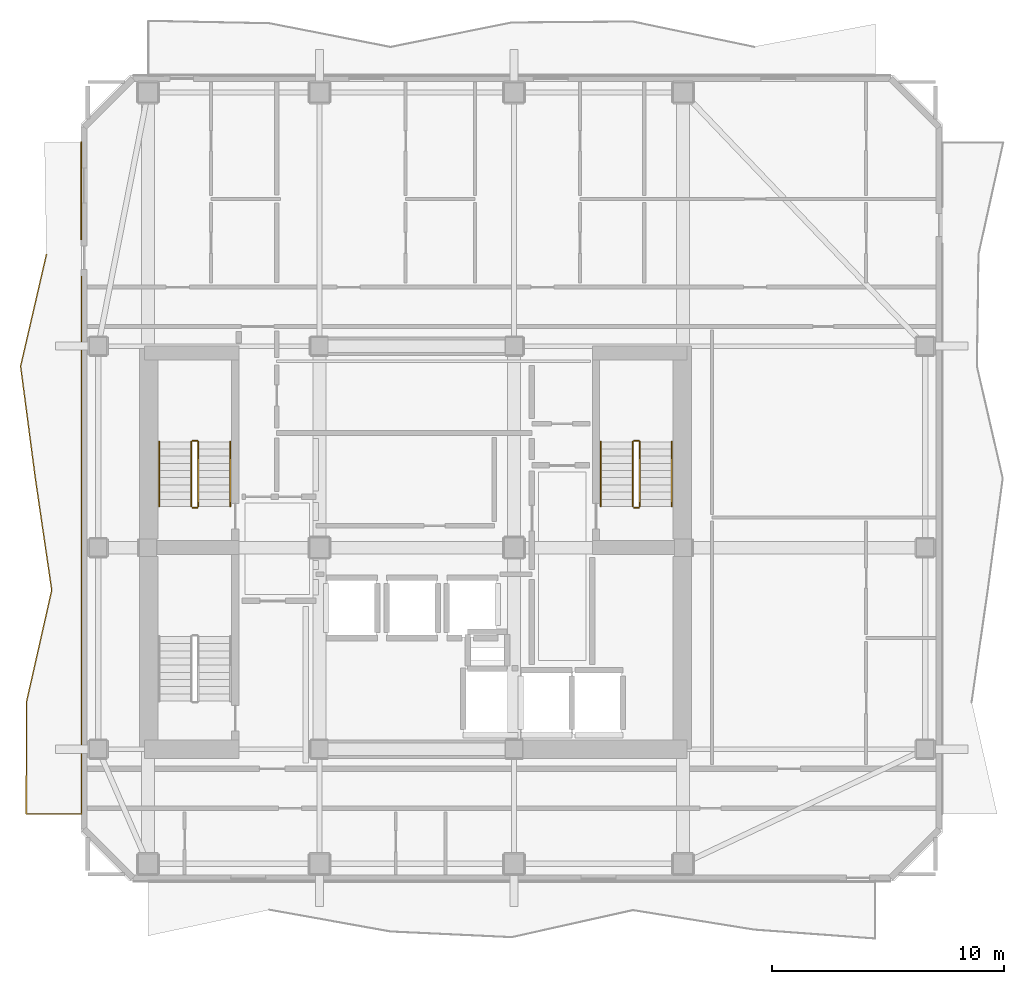
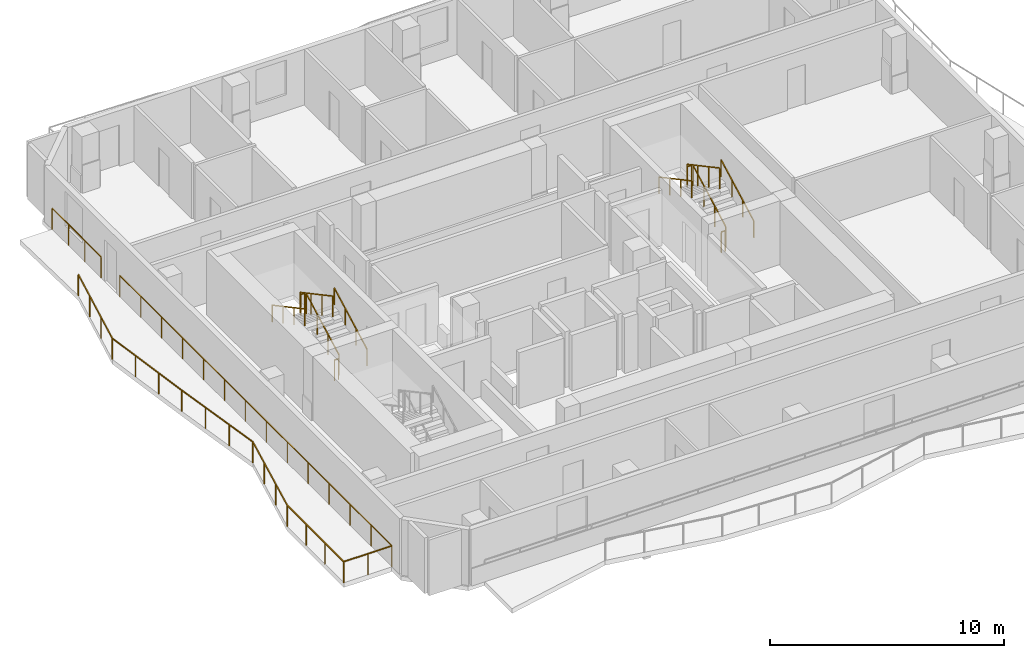
# One storey, part 8 of 9: 14 railings.
"""IFC4 building model written with IfcOpenShell, lengths in metres."""

from ifc_helpers import new_model, si_unit, direction, frame, origin, origin_2d, place, context, subcontext, project, spatial, rectangle, extrude, material, type_object, element, save


model = new_model("IFC4")

# Units and contexts
model_context = context("Model", 3, precision=1e-05, world=origin(), true_north=direction((0.0, 1.0)))
body_context = subcontext(model_context, "Body", "Model", "MODEL_VIEW")
ifc_project = project(units=[si_unit("LENGTHUNIT", "METRE"), si_unit("AREAUNIT", "SQUARE_METRE"), si_unit("VOLUMEUNIT", "CUBIC_METRE"), si_unit("PLANEANGLEUNIT", "RADIAN"), si_unit("MASSUNIT", "GRAM", prefix="KILO")], contexts=[model_context])

# Site, building, storey
site_placement = place(None, origin())
site = spatial("IfcSite", under=ifc_project, at=site_placement, CompositionType="ELEMENT")
building_placement = place(site_placement, origin())
building = spatial("IfcBuilding", under=site, at=building_placement, Name="Solanera Arch Residences", CompositionType="ELEMENT")
storey_placement = place(building_placement, frame((0.0, 0.0, 247.8798828125)))
storey = spatial("IfcBuildingStorey", under=building, at=storey_placement, Name="L72", CompositionType="ELEMENT", Elevation=247.8798828125)

# Railings
ifc_material_1 = material(Name="Steel S355 (ASTM A992 / A572 Grade 50)", Category="steel")
railing_type_1 = type_object("IfcRailingType", Name="Balustrade Railing BL-1100", PredefinedType="BALUSTRADE", material=ifc_material_1)
railing_1_placement = place(storey_placement, frame((9.013916015625, 43.366943359375, 0.0)))
element("IfcRailing", 1, at=railing_1_placement, inside=storey, type_object=railing_type_1, Name="L72 W Balcony Balustrade 1", PredefinedType="BALUSTRADE", context=body_context, shape_type="SweptSolid", body=[
    extrude(rectangle(XDim=0.048095703125, YDim=0.048095703125, at=origin_2d()), frame((0.0, 0.0, 1.09619140625), z_axis=(-0.225129039218, -0.974328956616, 0.0), x_axis=(0.974328956616, -0.225129039218, 0.0)), (0.0, 0.0, 1.0), 4.96142578125),
    extrude(rectangle(XDim=0.048095703125, YDim=0.048095703125, at=origin_2d()), frame((-1.116943359375, -4.833984375, 1.09619140625), z_axis=(0.130270536519, -0.991478485553, 0.0), x_axis=(0.991478485553, 0.130270536519, 0.0)), (0.0, 0.0, 1.0), 4.87451171875),
    extrude(rectangle(XDim=0.048095703125, YDim=0.048095703125, at=origin_2d()), frame((-0.48193359375, -9.6669921875, 1.09619140625), z_axis=(0.145142891701, -0.989410703898, 0.0), x_axis=(0.989410703898, 0.145142891701, 0.0)), (0.0, 0.0, 1.0), 4.884765625),
    extrude(rectangle(XDim=0.048095703125, YDim=0.048095703125, at=origin_2d()), frame((0.22705078125, -14.5, 1.09619140625), z_axis=(-0.22016863131, -0.975461825899, 0.0), x_axis=(0.975461825899, -0.22016863131, 0.0)), (0.0, 0.0, 1.0), 4.95556640625),
    extrude(rectangle(XDim=0.048095703125, YDim=0.048095703125, at=origin_2d()), frame((-0.864013671875, -19.333984375, 1.09619140625), z_axis=(-0.001414425742, -0.999998999699, 0.0), x_axis=(0.999998999699, -0.001414425742, 0.0)), (0.0, 0.0, 1.0), 4.8330078125),
    extrude(rectangle(XDim=0.048095703125, YDim=0.048095703125, at=origin_2d()), frame((-0.870849609375, -24.1669921875, 1.09619140625), z_axis=(1.0, 0.0, 0.0), x_axis=(0.0, 1.0, 0.0)), (0.0, 0.0, 1.0), 2.376953125),
    extrude(rectangle(XDim=0.048095703125, YDim=0.048095703125, at=origin_2d()), frame((1.506103515625, -24.1669921875, 1.09619140625), z_axis=(0.0, 1.0, 0.0), x_axis=(-1.0, 0.0, 0.0)), (0.0, 0.0, 1.0), 23.216064453125),
    extrude(rectangle(XDim=0.0419921875, YDim=0.0419921875, at=origin_2d()), origin(), (0.0, 0.0, 1.0), 1.072021484375),
    extrude(rectangle(XDim=0.0419921875, YDim=0.0419921875, at=origin_2d()), frame((-0.372314453125, -1.611328125, 0.0)), (0.0, 0.0, 1.0), 1.072021484375),
    extrude(rectangle(XDim=0.0419921875, YDim=0.0419921875, at=origin_2d()), frame((-0.74462890625, -3.22265625, 0.0)), (0.0, 0.0, 1.0), 1.072021484375),
    extrude(rectangle(XDim=0.0419921875, YDim=0.0419921875, at=origin_2d()), frame((-1.116943359375, -4.833984375, 0.0)), (0.0, 0.0, 1.0), 1.072021484375),
    extrude(rectangle(XDim=0.0419921875, YDim=0.0419921875, at=origin_2d()), frame((-0.9052734375, -6.445068359375, 0.0)), (0.0, 0.0, 1.0), 1.072021484375),
    extrude(rectangle(XDim=0.0419921875, YDim=0.0419921875, at=origin_2d()), frame((-0.693603515625, -8.055908203125, 0.0)), (0.0, 0.0, 1.0), 1.072021484375),
    extrude(rectangle(XDim=0.0419921875, YDim=0.0419921875, at=origin_2d()), frame((-0.48193359375, -9.6669921875, 0.0)), (0.0, 0.0, 1.0), 1.072021484375),
    extrude(rectangle(XDim=0.0419921875, YDim=0.0419921875, at=origin_2d()), frame((-0.24560546875, -11.278076171875, 0.0)), (0.0, 0.0, 1.0), 1.072021484375),
    extrude(rectangle(XDim=0.0419921875, YDim=0.0419921875, at=origin_2d()), frame((-0.00927734375, -12.888916015625, 0.0)), (0.0, 0.0, 1.0), 1.072021484375),
    extrude(rectangle(XDim=0.0419921875, YDim=0.0419921875, at=origin_2d()), frame((0.22705078125, -14.5, 0.0)), (0.0, 0.0, 1.0), 1.072021484375),
    extrude(rectangle(XDim=0.0419921875, YDim=0.0419921875, at=origin_2d()), frame((-0.13671875, -16.111328125, 0.0)), (0.0, 0.0, 1.0), 1.072021484375),
    extrude(rectangle(XDim=0.0419921875, YDim=0.0419921875, at=origin_2d()), frame((-0.500244140625, -17.72265625, 0.0)), (0.0, 0.0, 1.0), 1.072021484375),
    extrude(rectangle(XDim=0.0419921875, YDim=0.0419921875, at=origin_2d()), frame((-0.864013671875, -19.333984375, 0.0)), (0.0, 0.0, 1.0), 1.072021484375),
    extrude(rectangle(XDim=0.0419921875, YDim=0.0419921875, at=origin_2d()), frame((-0.8662109375, -20.945068359375, 0.0)), (0.0, 0.0, 1.0), 1.072021484375),
    extrude(rectangle(XDim=0.0419921875, YDim=0.0419921875, at=origin_2d()), frame((-0.86865234375, -22.555908203125, 0.0)), (0.0, 0.0, 1.0), 1.072021484375),
    extrude(rectangle(XDim=0.0419921875, YDim=0.0419921875, at=origin_2d()), frame((-0.870849609375, -24.1669921875, 0.0)), (0.0, 0.0, 1.0), 1.072021484375),
    extrude(rectangle(XDim=0.0419921875, YDim=0.0419921875, at=origin_2d()), frame((0.317626953125, -24.1669921875, 0.0)), (0.0, 0.0, 1.0), 1.072021484375),
    extrude(rectangle(XDim=0.0419921875, YDim=0.0419921875, at=origin_2d()), frame((1.506103515625, -24.1669921875, 0.0)), (0.0, 0.0, 1.0), 1.072021484375),
    extrude(rectangle(XDim=0.0419921875, YDim=0.0419921875, at=origin_2d()), frame((1.506103515625, -22.381103515625, 0.0)), (0.0, 0.0, 1.0), 1.072021484375),
    extrude(rectangle(XDim=0.0419921875, YDim=0.0419921875, at=origin_2d()), frame((1.506103515625, -20.59521484375, 0.0)), (0.0, 0.0, 1.0), 1.072021484375),
    extrude(rectangle(XDim=0.0419921875, YDim=0.0419921875, at=origin_2d()), frame((1.506103515625, -18.809326171875, 0.0)), (0.0, 0.0, 1.0), 1.072021484375),
    extrude(rectangle(XDim=0.0419921875, YDim=0.0419921875, at=origin_2d()), frame((1.506103515625, -17.023681640625, 0.0)), (0.0, 0.0, 1.0), 1.072021484375),
    extrude(rectangle(XDim=0.0419921875, YDim=0.0419921875, at=origin_2d()), frame((1.506103515625, -15.23779296875, 0.0)), (0.0, 0.0, 1.0), 1.072021484375),
    extrude(rectangle(XDim=0.0419921875, YDim=0.0419921875, at=origin_2d()), frame((1.506103515625, -13.451904296875, 0.0)), (0.0, 0.0, 1.0), 1.072021484375),
    extrude(rectangle(XDim=0.0419921875, YDim=0.0419921875, at=origin_2d()), frame((1.506103515625, -11.666015625, 0.0)), (0.0, 0.0, 1.0), 1.072021484375),
    extrude(rectangle(XDim=0.0419921875, YDim=0.0419921875, at=origin_2d()), frame((1.506103515625, -9.880126953125, 0.0)), (0.0, 0.0, 1.0), 1.072021484375),
    extrude(rectangle(XDim=0.0419921875, YDim=0.0419921875, at=origin_2d()), frame((1.506103515625, -8.09423828125, 0.0)), (0.0, 0.0, 1.0), 1.072021484375),
    extrude(rectangle(XDim=0.0419921875, YDim=0.0419921875, at=origin_2d()), frame((1.506103515625, -6.30859375, 0.0)), (0.0, 0.0, 1.0), 1.072021484375),
    extrude(rectangle(XDim=0.0419921875, YDim=0.0419921875, at=origin_2d()), frame((1.506103515625, -4.522705078125, 0.0)), (0.0, 0.0, 1.0), 1.072021484375),
    extrude(rectangle(XDim=0.0419921875, YDim=0.0419921875, at=origin_2d()), frame((1.506103515625, -2.73681640625, 0.0)), (0.0, 0.0, 1.0), 1.072021484375),
    extrude(rectangle(XDim=0.0419921875, YDim=0.0419921875, at=origin_2d()), frame((1.506103515625, -0.950927734375, 0.0)), (0.0, 0.0, 1.0), 1.072021484375),
])
railing_2_placement = place(storey_placement, frame((10.52001953125, 44.01611328125, 0.0)))
element("IfcRailing", 2, at=railing_2_placement, inside=storey, type_object=railing_type_1, Name="L72 W Balcony Balustrade 2", PredefinedType="BALUSTRADE", context=body_context, shape_type="SweptSolid", body=[
    extrude(rectangle(XDim=0.048095703125, YDim=0.048095703125, at=origin_2d()), frame((0.0, 0.0, 1.09619140625), z_axis=(0.0, 1.0, 0.0), x_axis=(-1.0, 0.0, 0.0)), (0.0, 0.0, 1.0), 4.183837890625),
    extrude(rectangle(XDim=0.0419921875, YDim=0.0419921875, at=origin_2d()), origin(), (0.0, 0.0, 1.0), 1.072021484375),
    extrude(rectangle(XDim=0.0419921875, YDim=0.0419921875, at=origin_2d()), frame((0.0, 1.39453125, 0.0)), (0.0, 0.0, 1.0), 1.072021484375),
    extrude(rectangle(XDim=0.0419921875, YDim=0.0419921875, at=origin_2d()), frame((0.0, 2.789306640625, 0.0)), (0.0, 0.0, 1.0), 1.072021484375),
    extrude(rectangle(XDim=0.0419921875, YDim=0.0419921875, at=origin_2d()), frame((0.0, 4.183837890625, 0.0)), (0.0, 0.0, 1.0), 1.072021484375),
])
ifc_material_2 = material(Name="Steel S355 (ASTM A992 / A572 Grade 50)", Category="steel")
railing_type_2 = type_object("IfcRailingType", Name="Stair Guardrail GR-1100", PredefinedType="GUARDRAIL", material=ifc_material_2)
railing_3_placement = place(storey_placement, frame((15.570068359375, 32.47998046875, 0.151123046875)))
element("IfcRailing", 3, at=railing_3_placement, inside=storey, type_object=railing_type_2, Name="L72 ST-T1 stair guard 1", PredefinedType="GUARDRAIL", context=body_context, shape_type="SweptSolid", body=[
    extrude(rectangle(XDim=0.048095703125, YDim=0.048095703125, at=origin_2d()), frame((0.0, 0.0, 1.076171875), z_axis=(0.0, 0.881580869306, 0.472033018838), x_axis=(-1.0, 0.0, 0.0)), (0.0, 0.0, 1.0), 3.164794921875),
    extrude(rectangle(XDim=0.0419921875, YDim=0.0419921875, at=origin_2d()), origin(), (0.0, 0.0, 1.0), 1.052001953125),
    extrude(rectangle(XDim=0.0419921875, YDim=0.0419921875, at=origin_2d()), frame((0.0, 0.929931640625, 0.498046875)), (0.0, 0.0, 1.0), 1.052001953125),
    extrude(rectangle(XDim=0.0419921875, YDim=0.0419921875, at=origin_2d()), frame((0.0, 1.860107421875, 0.995849609375)), (0.0, 0.0, 1.0), 1.052001953125),
    extrude(rectangle(XDim=0.0419921875, YDim=0.0419921875, at=origin_2d()), frame((0.0, 2.7900390625, 1.493896484375)), (0.0, 0.0, 1.0), 1.052001953125),
])
railing_4_placement = place(storey_placement, frame((15.52001953125, 35.320068359375, 1.64501953125)))
element("IfcRailing", 4, at=railing_4_placement, inside=storey, type_object=railing_type_2, Name="L72 ST-T1 stair guard 2", PredefinedType="GUARDRAIL", context=body_context, shape_type="SweptSolid", body=[
    extrude(rectangle(XDim=0.048095703125, YDim=0.048095703125, at=origin_2d()), frame((0.0, 0.0, 1.076171875), z_axis=(-1.0, 0.0, 0.0), x_axis=(0.0, -1.0, 0.0)), (0.0, 0.0, 1.0), 0.199951171875),
    extrude(rectangle(XDim=0.0419921875, YDim=0.0419921875, at=origin_2d()), origin(), (0.0, 0.0, 1.0), 1.052001953125),
    extrude(rectangle(XDim=0.0419921875, YDim=0.0419921875, at=origin_2d()), frame((-0.199951171875, 0.0, 0.0)), (0.0, 0.0, 1.0), 1.052001953125),
])
railing_5_placement = place(storey_placement, frame((15.27001953125, 35.27001953125, 1.81103515625)))
element("IfcRailing", 5, at=railing_5_placement, inside=storey, type_object=railing_type_2, Name="L72 ST-T1 stair guard 3", PredefinedType="GUARDRAIL", context=body_context, shape_type="SweptSolid", body=[
    extrude(rectangle(XDim=0.048095703125, YDim=0.048095703125, at=origin_2d()), frame((0.0, 0.0, 1.076171875), z_axis=(0.0, -0.881548766853, 0.472092969298), x_axis=(1.0, 0.0, 0.0)), (0.0, 0.0, 1.0), 3.1650390625),
    extrude(rectangle(XDim=0.0419921875, YDim=0.0419921875, at=origin_2d()), origin(), (0.0, 0.0, 1.0), 1.052001953125),
    extrude(rectangle(XDim=0.0419921875, YDim=0.0419921875, at=origin_2d()), frame((0.0, -0.929931640625, 0.498046875)), (0.0, 0.0, 1.0), 1.052001953125),
    extrude(rectangle(XDim=0.0419921875, YDim=0.0419921875, at=origin_2d()), frame((0.0, -1.860107421875, 0.99609375)), (0.0, 0.0, 1.0), 1.052001953125),
    extrude(rectangle(XDim=0.0419921875, YDim=0.0419921875, at=origin_2d()), frame((0.0, -2.7900390625, 1.494140625)), (0.0, 0.0, 1.0), 1.052001953125),
])
railing_6_placement = place(storey_placement, frame((15.52001953125, 32.429931640625, -0.014892578125)))
element("IfcRailing", 6, at=railing_6_placement, inside=storey, type_object=railing_type_2, Name="L72 ST-T1 stair guard 4", PredefinedType="GUARDRAIL", context=body_context, shape_type="SweptSolid", body=[
    extrude(rectangle(XDim=0.048095703125, YDim=0.048095703125, at=origin_2d()), frame((0.0, 0.0, 1.076171875), z_axis=(-1.0, 0.0, 0.0), x_axis=(0.0, -1.0, 0.0)), (0.0, 0.0, 1.0), 0.199951171875),
    extrude(rectangle(XDim=0.0419921875, YDim=0.0419921875, at=origin_2d()), origin(), (0.0, 0.0, 1.0), 1.052001953125),
    extrude(rectangle(XDim=0.0419921875, YDim=0.0419921875, at=origin_2d()), frame((-0.199951171875, 0.0, 0.0)), (0.0, 0.0, 1.0), 1.052001953125),
])
railing_7_placement = place(storey_placement, frame((34.6298828125, 32.47998046875, 0.151123046875)))
element("IfcRailing", 7, at=railing_7_placement, inside=storey, type_object=railing_type_2, Name="L72 ST-T2 stair guard 1", PredefinedType="GUARDRAIL", context=body_context, shape_type="SweptSolid", body=[
    extrude(rectangle(XDim=0.048095703125, YDim=0.048095703125, at=origin_2d()), frame((0.0, 0.0, 1.076171875), z_axis=(0.0, 0.881580869306, 0.472033018838), x_axis=(-1.0, 0.0, 0.0)), (0.0, 0.0, 1.0), 3.164794921875),
    extrude(rectangle(XDim=0.0419921875, YDim=0.0419921875, at=origin_2d()), origin(), (0.0, 0.0, 1.0), 1.052001953125),
    extrude(rectangle(XDim=0.0419921875, YDim=0.0419921875, at=origin_2d()), frame((0.0, 0.929931640625, 0.498046875)), (0.0, 0.0, 1.0), 1.052001953125),
    extrude(rectangle(XDim=0.0419921875, YDim=0.0419921875, at=origin_2d()), frame((0.0, 1.860107421875, 0.995849609375)), (0.0, 0.0, 1.0), 1.052001953125),
    extrude(rectangle(XDim=0.0419921875, YDim=0.0419921875, at=origin_2d()), frame((0.0, 2.7900390625, 1.493896484375)), (0.0, 0.0, 1.0), 1.052001953125),
])
railing_8_placement = place(storey_placement, frame((34.580078125, 35.320068359375, 1.64501953125)))
element("IfcRailing", 8, at=railing_8_placement, inside=storey, type_object=railing_type_2, Name="L72 ST-T2 stair guard 2", PredefinedType="GUARDRAIL", context=body_context, shape_type="SweptSolid", body=[
    extrude(rectangle(XDim=0.048095703125, YDim=0.048095703125, at=origin_2d()), frame((0.0, 0.0, 1.076171875), z_axis=(-1.0, 0.0, 0.0), x_axis=(0.0, -1.0, 0.0)), (0.0, 0.0, 1.0), 0.2001953125),
    extrude(rectangle(XDim=0.0419921875, YDim=0.0419921875, at=origin_2d()), origin(), (0.0, 0.0, 1.0), 1.052001953125),
    extrude(rectangle(XDim=0.0419921875, YDim=0.0419921875, at=origin_2d()), frame((-0.2001953125, 0.0, 0.0)), (0.0, 0.0, 1.0), 1.052001953125),
])
railing_9_placement = place(storey_placement, frame((34.330078125, 35.27001953125, 1.81103515625)))
element("IfcRailing", 9, at=railing_9_placement, inside=storey, type_object=railing_type_2, Name="L72 ST-T2 stair guard 3", PredefinedType="GUARDRAIL", context=body_context, shape_type="SweptSolid", body=[
    extrude(rectangle(XDim=0.048095703125, YDim=0.048095703125, at=origin_2d()), frame((0.0, 0.0, 1.076171875), z_axis=(0.0, -0.881548766853, 0.472092969298), x_axis=(1.0, 0.0, 0.0)), (0.0, 0.0, 1.0), 3.1650390625),
    extrude(rectangle(XDim=0.0419921875, YDim=0.0419921875, at=origin_2d()), origin(), (0.0, 0.0, 1.0), 1.052001953125),
    extrude(rectangle(XDim=0.0419921875, YDim=0.0419921875, at=origin_2d()), frame((0.0, -0.929931640625, 0.498046875)), (0.0, 0.0, 1.0), 1.052001953125),
    extrude(rectangle(XDim=0.0419921875, YDim=0.0419921875, at=origin_2d()), frame((0.0, -1.860107421875, 0.99609375)), (0.0, 0.0, 1.0), 1.052001953125),
    extrude(rectangle(XDim=0.0419921875, YDim=0.0419921875, at=origin_2d()), frame((0.0, -2.7900390625, 1.494140625)), (0.0, 0.0, 1.0), 1.052001953125),
])
railing_10_placement = place(storey_placement, frame((34.580078125, 32.429931640625, -0.014892578125)))
element("IfcRailing", 10, at=railing_10_placement, inside=storey, type_object=railing_type_2, Name="L72 ST-T2 stair guard 4", PredefinedType="GUARDRAIL", context=body_context, shape_type="SweptSolid", body=[
    extrude(rectangle(XDim=0.048095703125, YDim=0.048095703125, at=origin_2d()), frame((0.0, 0.0, 1.076171875), z_axis=(-1.0, 0.0, 0.0), x_axis=(0.0, -1.0, 0.0)), (0.0, 0.0, 1.0), 0.2001953125),
    extrude(rectangle(XDim=0.0419921875, YDim=0.0419921875, at=origin_2d()), origin(), (0.0, 0.0, 1.0), 1.052001953125),
    extrude(rectangle(XDim=0.0419921875, YDim=0.0419921875, at=origin_2d()), frame((-0.2001953125, 0.0, 0.0)), (0.0, 0.0, 1.0), 1.052001953125),
])
ifc_material_3 = material(Name="Steel S355 (ASTM A992 / A572 Grade 50)", Category="steel")
railing_type_3 = type_object("IfcRailingType", Name="Stair Wall Handrail HR-920", PredefinedType="HANDRAIL", material=ifc_material_3)
railing_11_placement = place(storey_placement, frame((16.949951171875, 32.47998046875, 0.166015625)))
element("IfcRailing", 11, at=railing_11_placement, inside=storey, type_object=railing_type_3, Name="L72 ST-T1 stair handrail 1", PredefinedType="HANDRAIL", context=body_context, shape_type="SweptSolid", body=[
    extrude(rectangle(XDim=0.048095703125, YDim=0.048095703125, at=origin_2d()), frame((0.0, 0.0, 0.8759765625), z_axis=(0.0, 0.881548766853, 0.472092969298), x_axis=(-1.0, 0.0, 0.0)), (0.0, 0.0, 1.0), 3.1650390625),
    extrude(rectangle(XDim=0.0419921875, YDim=0.0419921875, at=origin_2d()), origin(), (0.0, 0.0, 1.0), 0.851806640625),
    extrude(rectangle(XDim=0.0419921875, YDim=0.0419921875, at=origin_2d()), frame((0.0, 0.929931640625, 0.498046875)), (0.0, 0.0, 1.0), 0.851806640625),
    extrude(rectangle(XDim=0.0419921875, YDim=0.0419921875, at=origin_2d()), frame((0.0, 1.860107421875, 0.99609375)), (0.0, 0.0, 1.0), 0.851806640625),
    extrude(rectangle(XDim=0.0419921875, YDim=0.0419921875, at=origin_2d()), frame((0.0, 2.7900390625, 1.494140625)), (0.0, 0.0, 1.0), 0.851806640625),
])
railing_12_placement = place(storey_placement, frame((13.889892578125, 35.27001953125, 1.826171875)))
element("IfcRailing", 12, at=railing_12_placement, inside=storey, type_object=railing_type_3, Name="L72 ST-T1 stair handrail 2", PredefinedType="HANDRAIL", context=body_context, shape_type="SweptSolid", body=[
    extrude(rectangle(XDim=0.048095703125, YDim=0.048095703125, at=origin_2d()), frame((0.0, 0.0, 0.8759765625), z_axis=(0.0, -0.881580869306, 0.472033018838), x_axis=(1.0, 0.0, 0.0)), (0.0, 0.0, 1.0), 3.164794921875),
    extrude(rectangle(XDim=0.0419921875, YDim=0.0419921875, at=origin_2d()), origin(), (0.0, 0.0, 1.0), 0.851806640625),
    extrude(rectangle(XDim=0.0419921875, YDim=0.0419921875, at=origin_2d()), frame((0.0, -0.929931640625, 0.498046875)), (0.0, 0.0, 1.0), 0.851806640625),
    extrude(rectangle(XDim=0.0419921875, YDim=0.0419921875, at=origin_2d()), frame((0.0, -1.860107421875, 0.995849609375)), (0.0, 0.0, 1.0), 0.851806640625),
    extrude(rectangle(XDim=0.0419921875, YDim=0.0419921875, at=origin_2d()), frame((0.0, -2.7900390625, 1.493896484375)), (0.0, 0.0, 1.0), 0.851806640625),
])
railing_13_placement = place(storey_placement, frame((36.010009765625, 32.47998046875, 0.166015625)))
element("IfcRailing", 13, at=railing_13_placement, inside=storey, type_object=railing_type_3, Name="L72 ST-T2 stair handrail 1", PredefinedType="HANDRAIL", context=body_context, shape_type="SweptSolid", body=[
    extrude(rectangle(XDim=0.048095703125, YDim=0.048095703125, at=origin_2d()), frame((0.0, 0.0, 0.8759765625), z_axis=(0.0, 0.881548766853, 0.472092969298), x_axis=(-1.0, 0.0, 0.0)), (0.0, 0.0, 1.0), 3.1650390625),
    extrude(rectangle(XDim=0.0419921875, YDim=0.0419921875, at=origin_2d()), origin(), (0.0, 0.0, 1.0), 0.851806640625),
    extrude(rectangle(XDim=0.0419921875, YDim=0.0419921875, at=origin_2d()), frame((0.0, 0.929931640625, 0.498046875)), (0.0, 0.0, 1.0), 0.851806640625),
    extrude(rectangle(XDim=0.0419921875, YDim=0.0419921875, at=origin_2d()), frame((0.0, 1.860107421875, 0.99609375)), (0.0, 0.0, 1.0), 0.851806640625),
    extrude(rectangle(XDim=0.0419921875, YDim=0.0419921875, at=origin_2d()), frame((0.0, 2.7900390625, 1.494140625)), (0.0, 0.0, 1.0), 0.851806640625),
])
railing_14_placement = place(storey_placement, frame((32.949951171875, 35.27001953125, 1.826171875)))
element("IfcRailing", 14, at=railing_14_placement, inside=storey, type_object=railing_type_3, Name="L72 ST-T2 stair handrail 2", PredefinedType="HANDRAIL", context=body_context, shape_type="SweptSolid", body=[
    extrude(rectangle(XDim=0.048095703125, YDim=0.048095703125, at=origin_2d()), frame((0.0, 0.0, 0.8759765625), z_axis=(0.0, -0.881580869306, 0.472033018838), x_axis=(1.0, 0.0, 0.0)), (0.0, 0.0, 1.0), 3.164794921875),
    extrude(rectangle(XDim=0.0419921875, YDim=0.0419921875, at=origin_2d()), origin(), (0.0, 0.0, 1.0), 0.851806640625),
    extrude(rectangle(XDim=0.0419921875, YDim=0.0419921875, at=origin_2d()), frame((0.0, -0.929931640625, 0.498046875)), (0.0, 0.0, 1.0), 0.851806640625),
    extrude(rectangle(XDim=0.0419921875, YDim=0.0419921875, at=origin_2d()), frame((0.0, -1.860107421875, 0.995849609375)), (0.0, 0.0, 1.0), 0.851806640625),
    extrude(rectangle(XDim=0.0419921875, YDim=0.0419921875, at=origin_2d()), frame((0.0, -2.7900390625, 1.493896484375)), (0.0, 0.0, 1.0), 0.851806640625),
])

save(model, "model.ifc")
